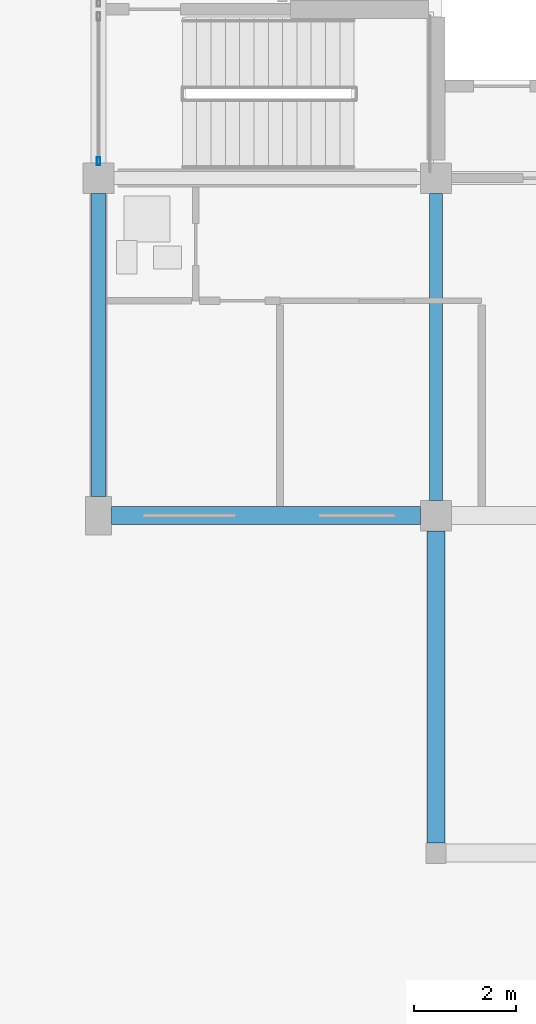
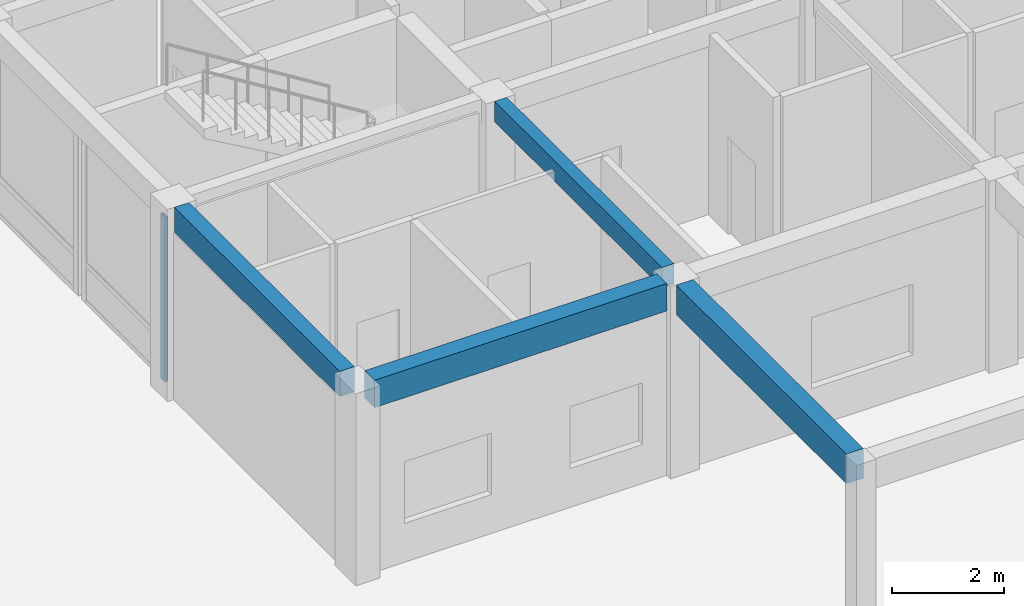
# One storey, part 32 of 92: 4 beams, 1 member, 1 element without a shape of its own.
"""IFC4 building model written with IfcOpenShell, lengths in metres."""

from ifc_helpers import new_model, si_unit, direction, frame, origin, origin_2d, place, context, subcontext, project, spatial, rectangle, hollow_rectangle, extrude, material, material_profile, profile_set, type_object, element, aggregate, save


model = new_model("IFC4")

# Units and contexts
model_context = context("Model", 3, precision=1e-05, world=origin(), true_north=direction((0.0, 1.0)))
body_context = subcontext(model_context, "Body", "Model", "MODEL_VIEW")
ifc_project = project(units=[si_unit("LENGTHUNIT", "METRE"), si_unit("AREAUNIT", "SQUARE_METRE"), si_unit("VOLUMEUNIT", "CUBIC_METRE"), si_unit("PLANEANGLEUNIT", "RADIAN"), si_unit("MASSUNIT", "GRAM", prefix="KILO")], contexts=[model_context])

# Site, building, storey
site_placement = place(None, origin())
site = spatial("IfcSite", under=ifc_project, at=site_placement, CompositionType="ELEMENT")
building_placement = place(site_placement, origin())
building = spatial("IfcBuilding", under=site, at=building_placement, Name="Kernevlak Ridge Housing Community", CompositionType="ELEMENT")
storey_placement = place(building_placement, frame((0.0, 0.0, 4.199951171875)))
storey = spatial("IfcBuildingStorey", under=building, at=storey_placement, Name="L01", CompositionType="ELEMENT", Elevation=4.199951171875)

# Beams
ifc_material_1 = material(Name="Concrete C35/45", Category="concrete")
ifc_material_profile_1 = material_profile(ifc_material_1, rectangle(XDim=0.35009765625, YDim=0.64990234375, at=origin_2d()), Name="RC 350x650")
ifc_profile_set_1 = profile_set([ifc_material_profile_1], Name="Concrete C35/45")
beam_type_1 = type_object("IfcBeamType", Name="B-02", PredefinedType="BEAM", material=ifc_profile_set_1)
beam_1_placement = place(storey_placement, frame((22.199951171875, 69.60009765625, 3.875), z_axis=(0.0, 1.0, 0.0), x_axis=(-1.0, 0.0, 0.0)))
element("IfcBeam", 1, at=beam_1_placement, inside=storey, type_object=beam_type_1, Name="Beam B-02 L01 2439", PredefinedType="BEAM", context=body_context, shape_type="SweptSolid", body=[
    extrude(rectangle(XDim=0.35009765625, YDim=0.64990234375, at=origin_2d()), origin(), (0.0, 0.0, 1.0), 6.099853515625),
])
ifc_material_profile_2 = material_profile(ifc_material_1, rectangle(XDim=0.25, YDim=0.449951171875, at=origin_2d()), Name="RC 250x450")
ifc_profile_set_2 = profile_set([ifc_material_profile_2], Name="Concrete C35/45")
beam_type_2 = type_object("IfcBeamType", Name="B-04", PredefinedType="T_BEAM", material=ifc_profile_set_2)
beam_2_placement = place(storey_placement, frame((22.199951171875, 76.300048828125, 3.97509765625), z_axis=(0.0, 1.0, 0.0), x_axis=(-1.0, 0.0, 0.0)))
element("IfcBeam", 2, at=beam_2_placement, inside=storey, type_object=beam_type_2, Name="Beam B-04 L01 96", PredefinedType="T_BEAM", context=body_context, shape_type="SweptSolid", body=[
    extrude(rectangle(XDim=0.25, YDim=0.449951171875, at=origin_2d()), origin(), (0.0, 0.0, 1.0), 6.0),
])

# Curtain wall, member
ifc_material_2 = material(Name="Aluminium EN AW-6060 anodised and laminated glass", Category="aluminium")
curtain_wall_type = type_object("IfcCurtainWallType", Name="CW-02", PredefinedType="NOTDEFINED", material=ifc_material_2)
curtain_wall_placement = place(storey_placement, origin())
curtain_wall = element("IfcCurtainWall", 3, at=curtain_wall_placement, inside=storey, type_object=curtain_wall_type, Name="Curtain wall CW-02 CW-L01-004", PredefinedType="NOTDEFINED")
ifc_material_3 = material(Name="Aluminium EN AW-6060 anodised", Category="aluminium")
ifc_material_profile_3 = material_profile(ifc_material_3, hollow_rectangle(XDim=0.06005859375, YDim=0.159912109375, WallThickness=0.00390625, InnerFilletRadius=0.001953125, OuterFilletRadius=0.00390625, at=origin_2d()), Name="ALU 60x160x4")
ifc_profile_set_3 = profile_set([ifc_material_profile_3], Name="Aluminium EN AW-6060 anodised")
member_type = type_object("IfcMemberType", Name="MU-02", PredefinedType="MULLION", material=ifc_profile_set_3)
member_placement = place(storey_placement, frame((15.60009765625, 82.929931640625, 0.0), z_axis=(0.0, 0.0, 1.0), x_axis=(-1.0, 0.0, 0.0)))
member = element("IfcMember", 4, at=member_placement, type_object=member_type, Name="CW-02 mullion 1", PredefinedType="MULLION", context=body_context, shape_type="SweptSolid", body=[
    extrude(hollow_rectangle(XDim=0.06005859375, YDim=0.159912109375, WallThickness=0.00390625, InnerFilletRadius=0.001953125, OuterFilletRadius=0.00390625, at=origin_2d()), origin(), (0.0, 0.0, 1.0), 3.60009765625),
])
aggregate(curtain_wall, [member])

# Beams
ifc_material_profile_4 = material_profile(ifc_material_1, rectangle(XDim=0.300048828125, YDim=0.550048828125, at=origin_2d()), Name="RC 300x550")
ifc_profile_set_4 = profile_set([ifc_material_profile_4], Name="Concrete C35/45")
beam_type_3 = type_object("IfcBeamType", Name="SP-01", PredefinedType="SPANDREL", material=ifc_profile_set_4)
beam_3_placement = place(storey_placement, frame((15.60009765625, 76.375, 3.925048828125), z_axis=(0.0, 1.0, 0.0), x_axis=(-1.0, 0.0, 0.0)))
element("IfcBeam", 5, at=beam_3_placement, inside=storey, type_object=beam_type_3, Name="Beam SP-01 L01 93", PredefinedType="SPANDREL", context=body_context, shape_type="SweptSolid", body=[
    extrude(rectangle(XDim=0.300048828125, YDim=0.550048828125, at=origin_2d()), origin(), (0.0, 0.0, 1.0), 5.925048828125),
])
ifc_material_profile_5 = material_profile(ifc_material_1, rectangle(XDim=0.35009765625, YDim=0.60009765625, at=origin_2d()), Name="RC 350x600")
ifc_profile_set_5 = profile_set([ifc_material_profile_5], Name="Concrete C35/45")
beam_type_4 = type_object("IfcBeamType", Name="SP-03", PredefinedType="SPANDREL", material=ifc_profile_set_5)
beam_4_placement = place(storey_placement, frame((15.85009765625, 76.0, 3.900146484375), z_axis=(1.0, 0.0, 0.0), x_axis=(0.0, 1.0, 0.0)))
element("IfcBeam", 6, at=beam_4_placement, inside=storey, type_object=beam_type_4, Name="Beam SP-03 L01 73", PredefinedType="SPANDREL", context=body_context, shape_type="SweptSolid", body=[
    extrude(rectangle(XDim=0.35009765625, YDim=0.60009765625, at=origin_2d()), origin(), (0.0, 0.0, 1.0), 6.0498046875),
])

save(model, "model.ifc")
